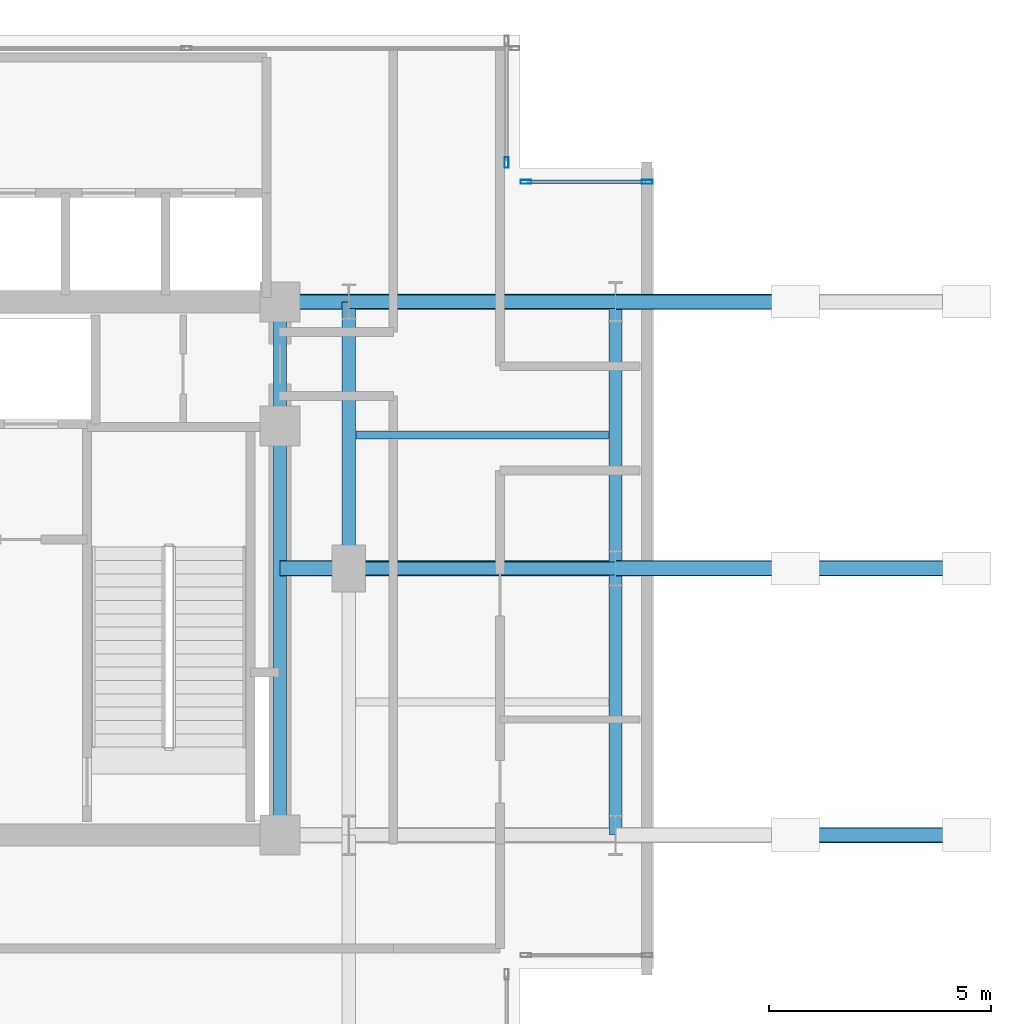
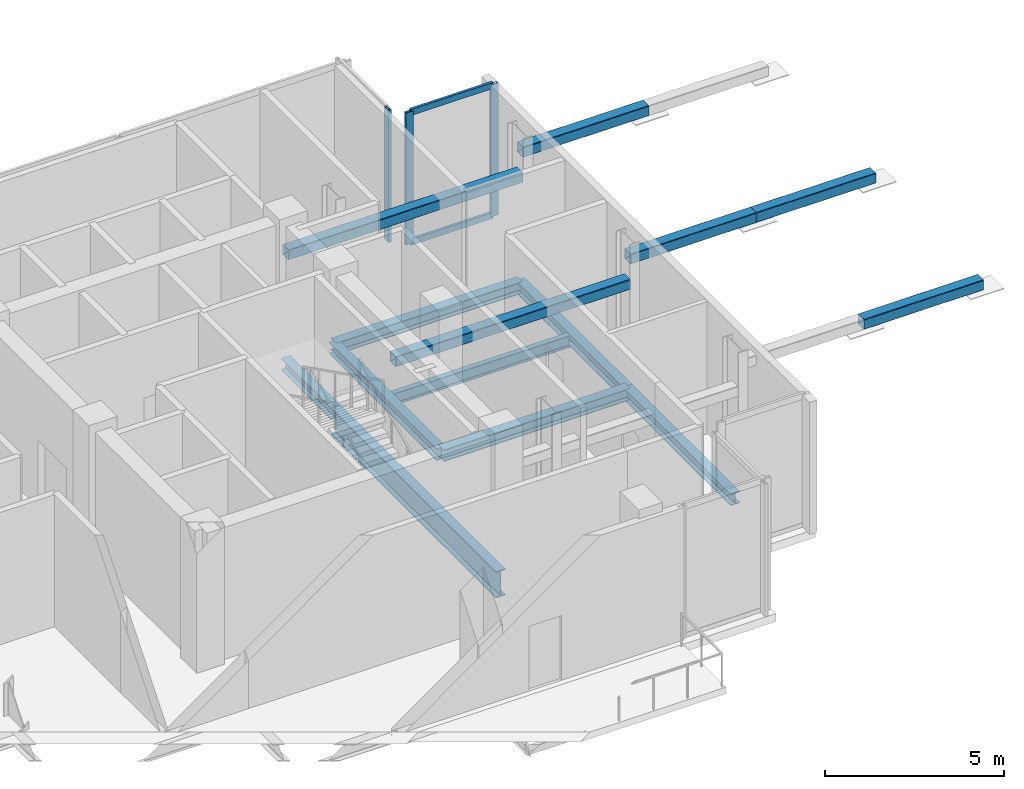
# One storey, part 9 of 22: 11 members, 8 beams, 2 elements without a shape of their own.
"""IFC4 building model written with IfcOpenShell, lengths in metres."""

from ifc_helpers import new_model, si_unit, direction, frame, origin, origin_2d, place, context, subcontext, project, spatial, hollow_rectangle, i_section, extrude, material, layer, layer_set, material_profile, profile_set, type_object, element, aggregate, save


model = new_model("IFC4")

# Units and contexts
model_context = context("Model", 3, precision=1e-05, world=origin(), true_north=direction((0.0, 1.0)))
body_context = subcontext(model_context, "Body", "Model", "MODEL_VIEW")
ifc_project = project(units=[si_unit("LENGTHUNIT", "METRE"), si_unit("AREAUNIT", "SQUARE_METRE"), si_unit("VOLUMEUNIT", "CUBIC_METRE"), si_unit("PLANEANGLEUNIT", "RADIAN"), si_unit("MASSUNIT", "GRAM", prefix="KILO"), si_unit("THERMODYNAMICTEMPERATUREUNIT", "KELVIN"), si_unit("POWERUNIT", "WATT")], contexts=[model_context])

# Site, building, storey
site_placement = place(None, origin())
site = spatial("IfcSite", under=ifc_project, at=site_placement, CompositionType="ELEMENT")
building_placement = place(site_placement, origin())
building = spatial("IfcBuilding", under=site, at=building_placement, Name="Svarakhadi Broadcast Tower", CompositionType="ELEMENT")
storey_placement = place(building_placement, frame((0.0, 0.0, 199.199951171875)))
storey = spatial("IfcBuildingStorey", under=building, at=storey_placement, Name="L49", CompositionType="ELEMENT", Elevation=199.199951171875)

# Beam
ifc_material_1 = material(Name="Steel S355J2 (IS 2062 E350C)", Category="steel")
ifc_material_profile_1 = material_profile(ifc_material_1, i_section(OverallWidth=0.179931640625, OverallDepth=0.39990234375, WebThickness=0.008544921875, FlangeThickness=0.013427734375, FilletRadius=0.02099609375, at=origin_2d()), Name="NPB 400x180x66")
ifc_profile_set_1 = profile_set([ifc_material_profile_1], Name="Steel S355J2 (IS 2062 E350C)")
beam_type_1 = type_object("IfcBeamType", Name="Beam_NPB400", PredefinedType="BEAM", material=ifc_profile_set_1)
beam_1_placement = place(storey_placement, frame((35.31005859375, 15.0, -0.474853515625), z_axis=(1.0, 0.0, 0.0), x_axis=(0.0, 1.0, 0.0)))
element("IfcBeam", 1, at=beam_1_placement, inside=storey, type_object=beam_type_1, Name="L49 Secondary Composite Beam SB017", PredefinedType="BEAM", context=body_context, shape_type="SweptSolid", body=[
    extrude(i_section(OverallWidth=0.179931640625, OverallDepth=0.39990234375, WebThickness=0.008544921875, FlangeThickness=0.013427734375, FilletRadius=0.02099609375, at=origin_2d()), origin(), (0.0, 0.0, 1.0), 5.679931640625),
])

# Curtain wall, member
ifc_material_2 = material(Name="Anodised Bronze Aluminium AA 6063-T6", Category="aluminium")
ifc_layer = layer(ifc_material_2, 0.239990234375)
ifc_layer_set = layer_set([ifc_layer], Name="Anodised Bronze Aluminium AA 6063-T6")
curtain_wall_type = type_object("IfcCurtainWallType", Name="CW_Sys_06", PredefinedType="NOTDEFINED", material=ifc_layer_set)
curtain_wall_1_placement = place(storey_placement, origin())
curtain_wall_1 = element("IfcCurtainWall", 2, at=curtain_wall_1_placement, inside=storey, type_object=curtain_wall_type, Name="L49 Unitised Facade Curtain Wall 11", PredefinedType="NOTDEFINED")
ifc_material_profile_2 = material_profile(ifc_material_2, hollow_rectangle(XDim=0.090087890625, YDim=0.239990234375, WallThickness=0.006103515625, at=origin_2d()), Name="ALU MULLION 240x90x6")
ifc_profile_set_2 = profile_set([ifc_material_profile_2], Name="Anodised Bronze Aluminium AA 6063-T6")
member_type_1 = type_object("IfcMemberType", Name="CW_Sys_06_Mul", PredefinedType="MULLION", material=ifc_profile_set_2)
member_1_placement = place(storey_placement, frame((38.699951171875, 21.135009765625, 0.0), z_axis=(0.0, 0.0, 1.0), x_axis=(1.0, 0.0, 0.0)))
member_1 = element("IfcMember", 3, at=member_1_placement, type_object=member_type_1, Name="CW-06 mullion 2", PredefinedType="MULLION", context=body_context, shape_type="SweptSolid", body=[
    extrude(hollow_rectangle(XDim=0.090087890625, YDim=0.239990234375, WallThickness=0.006103515625, at=origin_2d()), origin(), (0.0, 0.0, 1.0), 4.5),
])
aggregate(curtain_wall_1, [member_1])

# Curtain wall, members
curtain_wall_2_placement = place(storey_placement, origin())
curtain_wall_2 = element("IfcCurtainWall", 4, at=curtain_wall_2_placement, inside=storey, type_object=curtain_wall_type, Name="L49 Unitised Facade Curtain Wall 12", PredefinedType="NOTDEFINED")
member_2_placement = place(storey_placement, frame((39.135009765625, 20.699951171875, 0.0), z_axis=(0.0, 0.0, 1.0), x_axis=(0.0, 1.0, 0.0)))
member_2 = element("IfcMember", 5, at=member_2_placement, type_object=member_type_1, Name="CW-06 mullion 1", PredefinedType="MULLION", context=body_context, shape_type="SweptSolid", body=[
    extrude(hollow_rectangle(XDim=0.090087890625, YDim=0.239990234375, WallThickness=0.006103515625, at=origin_2d()), origin(), (0.0, 0.0, 1.0), 4.5),
])
member_3_placement = place(storey_placement, frame((41.864990234375, 20.699951171875, 0.0), z_axis=(0.0, 0.0, 1.0), x_axis=(0.0, 1.0, 0.0)))
member_3 = element("IfcMember", 6, at=member_3_placement, type_object=member_type_1, Name="CW-06 mullion 2", PredefinedType="MULLION", context=body_context, shape_type="SweptSolid", body=[
    extrude(hollow_rectangle(XDim=0.090087890625, YDim=0.239990234375, WallThickness=0.006103515625, at=origin_2d()), origin(), (0.0, 0.0, 1.0), 4.5),
])
ifc_material_profile_3 = material_profile(ifc_material_2, hollow_rectangle(XDim=0.080078125, YDim=0.2099609375, WallThickness=0.0048828125, at=origin_2d()), Name="ALU TRANSOM 210x80x5")
ifc_profile_set_3 = profile_set([ifc_material_profile_3], Name="Anodised Bronze Aluminium AA 6063-T6")
member_type_2 = type_object("IfcMemberType", Name="CW_Sys_06_Trn", PredefinedType="USERDEFINED", material=ifc_profile_set_3)
member_4_placement = place(storey_placement, frame((39.179931640625, 20.699951171875, 0.0400390625), z_axis=(1.0, 0.0, 0.0), x_axis=(0.0, 1.0, 0.0)))
member_4 = element("IfcMember", 7, at=member_4_placement, type_object=member_type_2, Name="CW-06 transom 1.1", ObjectType="TRANSOM", PredefinedType="USERDEFINED", context=body_context, shape_type="SweptSolid", body=[
    extrude(hollow_rectangle(XDim=0.080078125, YDim=0.2099609375, WallThickness=0.0048828125, at=origin_2d()), origin(), (0.0, 0.0, 1.0), 2.64013671875),
])
member_5_placement = place(storey_placement, frame((39.179931640625, 20.699951171875, 4.4599609375), z_axis=(1.0, 0.0, 0.0), x_axis=(0.0, 1.0, 0.0)))
member_5 = element("IfcMember", 8, at=member_5_placement, type_object=member_type_2, Name="CW-06 transom 1.2", ObjectType="TRANSOM", PredefinedType="USERDEFINED", context=body_context, shape_type="SweptSolid", body=[
    extrude(hollow_rectangle(XDim=0.080078125, YDim=0.2099609375, WallThickness=0.0048828125, at=origin_2d()), origin(), (0.0, 0.0, 1.0), 2.64013671875),
])
aggregate(curtain_wall_2, [member_2, member_3, member_4, member_5])

# Beams
ifc_material_profile_4 = material_profile(ifc_material_1, i_section(OverallWidth=0.300048828125, OverallDepth=0.39990234375, WebThickness=0.013427734375, FlangeThickness=0.02392578125, FilletRadius=0.027099609375, at=origin_2d()), Name="WPB 400x300x155")
ifc_profile_set_4 = profile_set([ifc_material_profile_4], Name="Steel S355J2 (IS 2062 E350C)")
beam_type_2 = type_object("IfcBeamType", Name="Girder_WPB400", PredefinedType="USERDEFINED", material=ifc_profile_set_4)
for number, where, z_axis, x_axis, name in (
    (9, (35.14990234375, 12.0, -0.474853515625), (1.0, 0.0, 0.0), (0.0, 1.0, 0.0), "L49 Primary E-W Girder G019"),
    (10, (35.14990234375, 18.0, -0.474853515625), (1.0, 0.0, 0.0), (0.0, 1.0, 0.0), "L49 Primary E-W Girder G025"),
):
    element("IfcBeam", number, at=place(storey_placement, frame(where, z_axis=z_axis, x_axis=x_axis)), inside=storey, type_object=beam_type_2, Name=name, ObjectType="GIRDER", PredefinedType="USERDEFINED", context=body_context, shape_type="SweptSolid", body=[
        extrude(i_section(OverallWidth=0.300048828125, OverallDepth=0.39990234375, WebThickness=0.013427734375, FlangeThickness=0.02392578125, FilletRadius=0.027099609375, at=origin_2d()), origin(), (0.0, 0.0, 1.0), 6.0),
    ])
beam_2_placement = place(storey_placement, frame((33.60009765625, 15.199951171875, -0.474853515625), z_axis=(0.0, 1.0, 0.0), x_axis=(-1.0, 0.0, 0.0)))
element("IfcBeam", 11, at=beam_2_placement, inside=storey, type_object=beam_type_2, Name="L49 Primary N-S Girder G055", ObjectType="GIRDER", PredefinedType="USERDEFINED", context=body_context, shape_type="SweptSolid", body=[
    extrude(i_section(OverallWidth=0.300048828125, OverallDepth=0.39990234375, WebThickness=0.013427734375, FlangeThickness=0.02392578125, FilletRadius=0.027099609375, at=origin_2d()), origin(), (0.0, 0.0, 1.0), 2.800048828125),
])
for number, where, z_axis, x_axis, name in (
    (12, (35.14990234375, 12.0, -0.474853515625), (0.0, 1.0, 0.0), (-1.0, 0.0, 0.0), "L49 Primary N-S Girder G058"),
    (13, (41.14990234375, 6.0, -0.474853515625), (0.0, 1.0, 0.0), (-1.0, 0.0, 0.0), "L49 Primary N-S Girder G059"),
    (14, (41.14990234375, 12.0, -0.474853515625), (0.0, 1.0, 0.0), (-1.0, 0.0, 0.0), "L49 Primary N-S Girder G060"),
):
    element("IfcBeam", number, at=place(storey_placement, frame(where, z_axis=z_axis, x_axis=x_axis)), inside=storey, type_object=beam_type_2, Name=name, ObjectType="GIRDER", PredefinedType="USERDEFINED", context=body_context, shape_type="SweptSolid", body=[
        extrude(i_section(OverallWidth=0.300048828125, OverallDepth=0.39990234375, WebThickness=0.013427734375, FlangeThickness=0.02392578125, FilletRadius=0.027099609375, at=origin_2d()), origin(), (0.0, 0.0, 1.0), 6.0),
    ])
ifc_material_3 = material(Name="Steel S460ML (IS 2062 E450BR)", Category="steel")
ifc_material_profile_5 = material_profile(ifc_material_3, i_section(OverallWidth=0.300048828125, OverallDepth=0.89990234375, WebThickness=0.0185546875, FlangeThickness=0.034912109375, FilletRadius=0.030029296875, at=origin_2d()), Name="WPB 900x300x291")
ifc_profile_set_5 = profile_set([ifc_material_profile_5], Name="Steel S460ML (IS 2062 E450BR)")
beam_type_3 = type_object("IfcBeamType", Name="Girder_WPB900", PredefinedType="USERDEFINED", material=ifc_profile_set_5)
beam_3_placement = place(storey_placement, frame((33.60009765625, 6.0, -0.724853515625), z_axis=(0.0, 1.0, 0.0), x_axis=(-1.0, 0.0, 0.0)))
element("IfcBeam", 15, at=beam_3_placement, inside=storey, type_object=beam_type_3, Name="L49 Primary N-S Girder G054", ObjectType="GIRDER", PredefinedType="USERDEFINED", context=body_context, shape_type="SweptSolid", body=[
    extrude(i_section(OverallWidth=0.300048828125, OverallDepth=0.89990234375, WebThickness=0.0185546875, FlangeThickness=0.034912109375, FilletRadius=0.030029296875, at=origin_2d()), origin(), (0.0, 0.0, 1.0), 9.199951171875),
])

# Members
ifc_material_profile_6 = material_profile(ifc_material_3, hollow_rectangle(XDim=0.35009765625, YDim=0.35009765625, WallThickness=0.01611328125, InnerFilletRadius=0.01611328125, OuterFilletRadius=0.031982421875, at=origin_2d()), Name="SHS 350x350x16")
ifc_profile_set_6 = profile_set([ifc_material_profile_6], Name="Steel S460ML (IS 2062 E450BR)")
member_type_3 = type_object("IfcMemberType", Name="Pool_Truss_Chord", PredefinedType="CHORD", material=ifc_profile_set_6)
member_6_placement = place(storey_placement, frame((45.199951171875, 6.0, 4.125), z_axis=(1.0, 0.0, 0.0), x_axis=(0.0, 1.0, 0.0)))
element("IfcMember", 16, at=member_6_placement, inside=storey, type_object=member_type_3, Name="L50 Sky Pool Cantilever Truss Chord PT-CNT2-1", PredefinedType="CHORD", context=body_context, shape_type="SweptSolid", body=[
    extrude(hollow_rectangle(XDim=0.35009765625, YDim=0.35009765625, WallThickness=0.01611328125, InnerFilletRadius=0.01611328125, OuterFilletRadius=0.031982421875, at=origin_2d()), origin(), (0.0, 0.0, 1.0), 3.85009765625),
])
member_7_placement = place(storey_placement, frame((33.60009765625, 12.0, 3.275146484375), z_axis=(1.0, 0.0, 0.0), x_axis=(0.0, 1.0, 0.0)))
element("IfcMember", 17, at=member_7_placement, inside=storey, type_object=member_type_3, Name="L50 Sky Pool Cantilever Truss Chord PT-BCK2-2", PredefinedType="CHORD", context=body_context, shape_type="SweptSolid", body=[
    extrude(hollow_rectangle(XDim=0.35009765625, YDim=0.35009765625, WallThickness=0.01611328125, InnerFilletRadius=0.01611328125, OuterFilletRadius=0.031982421875, at=origin_2d()), origin(), (0.0, 0.0, 1.0), 7.5498046875),
])
member_8_placement = place(storey_placement, frame((41.14990234375, 12.0, 4.125), z_axis=(1.0, 0.0, 0.0), x_axis=(0.0, 1.0, 0.0)))
element("IfcMember", 18, at=member_8_placement, inside=storey, type_object=member_type_3, Name="L50 Sky Pool Cantilever Truss Chord PT-CNT1-2", PredefinedType="CHORD", context=body_context, shape_type="SweptSolid", body=[
    extrude(hollow_rectangle(XDim=0.35009765625, YDim=0.35009765625, WallThickness=0.01611328125, InnerFilletRadius=0.01611328125, OuterFilletRadius=0.031982421875, at=origin_2d()), origin(), (0.0, 0.0, 1.0), 4.050048828125),
])
member_9_placement = place(storey_placement, frame((45.199951171875, 12.0, 4.125), z_axis=(1.0, 0.0, 0.0), x_axis=(0.0, 1.0, 0.0)))
element("IfcMember", 19, at=member_9_placement, inside=storey, type_object=member_type_3, Name="L50 Sky Pool Cantilever Truss Chord PT-CNT2-2", PredefinedType="CHORD", context=body_context, shape_type="SweptSolid", body=[
    extrude(hollow_rectangle(XDim=0.35009765625, YDim=0.35009765625, WallThickness=0.01611328125, InnerFilletRadius=0.01611328125, OuterFilletRadius=0.031982421875, at=origin_2d()), origin(), (0.0, 0.0, 1.0), 3.85009765625),
])
member_10_placement = place(storey_placement, frame((33.60009765625, 18.0, 3.275146484375), z_axis=(1.0, 0.0, 0.0), x_axis=(0.0, 1.0, 0.0)))
element("IfcMember", 20, at=member_10_placement, inside=storey, type_object=member_type_3, Name="L50 Sky Pool Cantilever Truss Chord PT-BCK2-3", PredefinedType="CHORD", context=body_context, shape_type="SweptSolid", body=[
    extrude(hollow_rectangle(XDim=0.35009765625, YDim=0.35009765625, WallThickness=0.01611328125, InnerFilletRadius=0.01611328125, OuterFilletRadius=0.031982421875, at=origin_2d()), origin(), (0.0, 0.0, 1.0), 7.5498046875),
])
member_11_placement = place(storey_placement, frame((41.14990234375, 18.0, 4.125), z_axis=(1.0, 0.0, 0.0), x_axis=(0.0, 1.0, 0.0)))
element("IfcMember", 21, at=member_11_placement, inside=storey, type_object=member_type_3, Name="L50 Sky Pool Cantilever Truss Chord PT-CNT1-3", PredefinedType="CHORD", context=body_context, shape_type="SweptSolid", body=[
    extrude(hollow_rectangle(XDim=0.35009765625, YDim=0.35009765625, WallThickness=0.01611328125, InnerFilletRadius=0.01611328125, OuterFilletRadius=0.031982421875, at=origin_2d()), origin(), (0.0, 0.0, 1.0), 4.050048828125),
])

save(model, "model.ifc")
